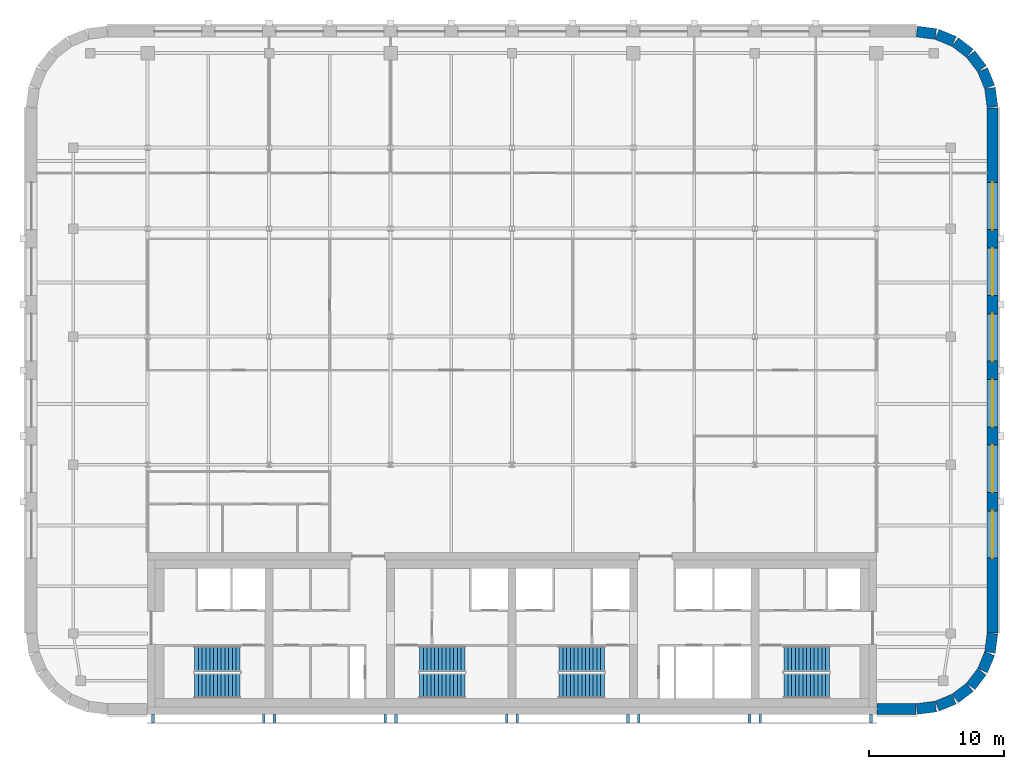
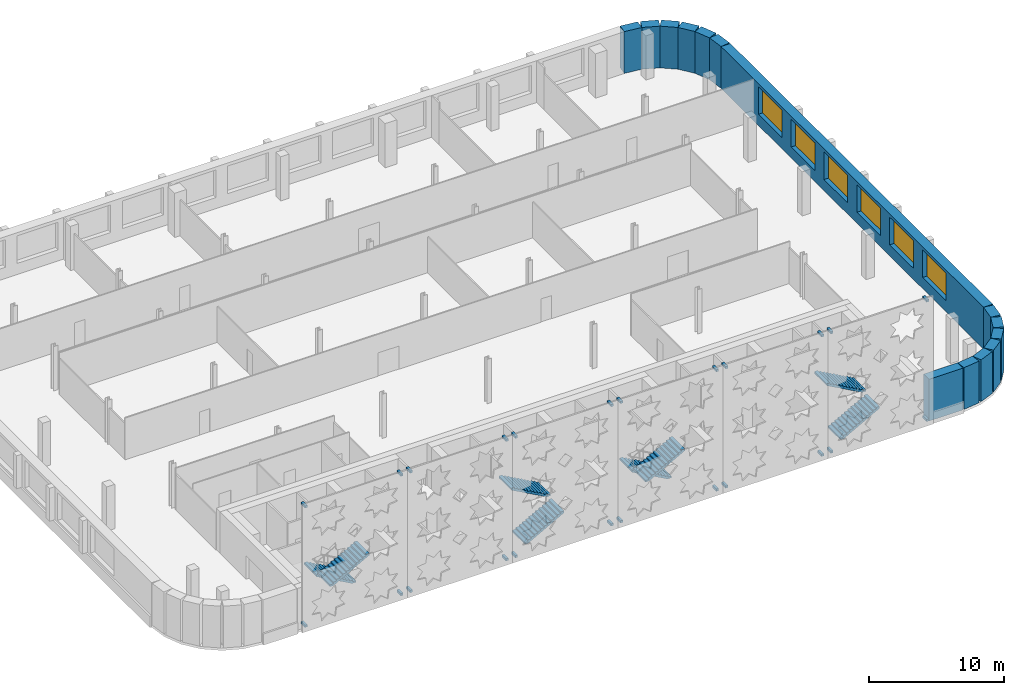
# One storey, part 11 of 15: 24 discrete accessories, 14 walls, 8 stair flights, 6 windows, 6 openings, 4 elements without a shape of their own.
"""IFC4 building model written with IfcOpenShell, lengths in metres."""

from ifc_helpers import new_model, si_unit, direction, frame, frame_2d, origin, origin_2d, place, context, subcontext, project, spatial, polyline, rectangle, outline, extrude, material, layer, layer_set, type_object, element, fill, aggregate, save


model = new_model("IFC4")

# Units and contexts
model_context = context("Model", 3, precision=1e-05, world=origin(), true_north=direction((0.0, 1.0)))
body_context = subcontext(model_context, "Body", "Model", "MODEL_VIEW")
ifc_project = project(units=[si_unit("LENGTHUNIT", "METRE"), si_unit("AREAUNIT", "SQUARE_METRE"), si_unit("VOLUMEUNIT", "CUBIC_METRE"), si_unit("PLANEANGLEUNIT", "RADIAN"), si_unit("MASSUNIT", "GRAM", prefix="KILO")], contexts=[model_context])

# Site, building, storey
site_placement = place(None, origin())
site = spatial("IfcSite", under=ifc_project, at=site_placement, CompositionType="ELEMENT")
building_placement = place(site_placement, origin())
building = spatial("IfcBuilding", under=site, at=building_placement, Name="Zellij Exchange Tower", CompositionType="ELEMENT")
storey_placement = place(building_placement, frame((0.0, 0.0, 276.5)))
storey = spatial("IfcBuildingStorey", under=building, at=storey_placement, Name="L65", CompositionType="ELEMENT", Elevation=276.5)

# Walls
ifc_material_1 = material(Name="Precast concrete C40/50", Category="concrete")
ifc_layer = layer(ifc_material_1, 0.800048828125)
ifc_layer_set = layer_set([ifc_layer], Name="Precast concrete C40/50")
wall_type = type_object("IfcWallType", Name="ENV-EW1 Precast stone-piered wall 800", PredefinedType="SOLIDWALL", material=ifc_layer_set)
wall_1_placement = place(storey_placement, frame((27.050048828125, -13.60009765625, 0.0), z_axis=(0.0, 0.0, 1.0), x_axis=(1.0, 0.0, 0.0)))
element("IfcWall", 1, at=wall_1_placement, inside=storey, type_object=wall_type, Name="fac.L65.00b", PredefinedType="SOLIDWALL", context=body_context, shape_type="SweptSolid", body=[
    extrude(rectangle(XDim=2.8974609375, YDim=0.800048828125, at=frame_2d((1.44873046875, 0.0))), origin(), (0.0, 0.0, 1.0), 3.780029296875),
])
wall_2_placement = place(storey_placement, frame((29.999755859375, -13.5966796875, 0.0), z_axis=(0.0, 0.0, 1.0), x_axis=(0.99144603414, 0.130517283865, 0.0)))
element("IfcWall", 2, at=wall_2_placement, inside=storey, type_object=wall_type, Name="fac.L65.01", PredefinedType="SOLIDWALL", context=body_context, shape_type="SweptSolid", body=[
    extrude(rectangle(XDim=1.408447265625, YDim=0.800048828125, at=frame_2d((0.7041015625, 0.0))), origin(), (0.0, 0.0, 1.0), 3.780029296875),
])
wall_3_placement = place(storey_placement, frame((31.497314453125, -13.3857421875, 0.0), z_axis=(0.0, 0.0, 1.0), x_axis=(0.923847774587, 0.38276009378, 0.0)))
element("IfcWall", 3, at=wall_3_placement, inside=storey, type_object=wall_type, Name="fac.L65.02", PredefinedType="SOLIDWALL", context=body_context, shape_type="SweptSolid", body=[
    extrude(rectangle(XDim=1.35546875, YDim=0.800048828125, at=frame_2d((0.677734375, 0.0))), origin(), (0.0, 0.0, 1.0), 3.780029296875),
])
for number, where, z_axis, x_axis, name in (
    (4, (32.840087890625, -12.814697265625, 0.0), (0.0, 0.0, 1.0), (0.793272915452, 0.608866226366, 0.0), "fac.L65.03"),
    (5, (33.9892578125, -11.91552734375, 0.0), (0.0, 0.0, 1.0), (0.608866226366, 0.793272915452, 0.0), "fac.L65.04"),
):
    element("IfcWall", number, at=place(storey_placement, frame(where, z_axis=z_axis, x_axis=x_axis)), inside=storey, type_object=wall_type, Name=name, PredefinedType="SOLIDWALL", context=body_context, shape_type="SweptSolid", body=[
        extrude(rectangle(XDim=1.355712890625, YDim=0.800048828125, at=frame_2d((0.677734375, 0.0))), origin(), (0.0, 0.0, 1.0), 3.780029296875),
    ])
wall_4_placement = place(storey_placement, frame((34.866943359375, -10.74951171875, 0.0), z_axis=(0.0, 0.0, 1.0), x_axis=(0.38276009378, 0.923847774587, 0.0)))
element("IfcWall", 6, at=wall_4_placement, inside=storey, type_object=wall_type, Name="fac.L65.05", PredefinedType="SOLIDWALL", context=body_context, shape_type="SweptSolid", body=[
    extrude(rectangle(XDim=1.35546875, YDim=0.800048828125, at=frame_2d((0.677734375, 0.0))), origin(), (0.0, 0.0, 1.0), 3.780029296875),
])
wall_5_placement = place(storey_placement, frame((35.412841796875, -9.396240234375, 0.0), z_axis=(0.0, 0.0, 1.0), x_axis=(0.130517283865, 0.99144603414, 0.0)))
element("IfcWall", 7, at=wall_5_placement, inside=storey, type_object=wall_type, Name="fac.L65.06", PredefinedType="SOLIDWALL", context=body_context, shape_type="SweptSolid", body=[
    extrude(rectangle(XDim=1.408447265625, YDim=0.800048828125, at=frame_2d((0.7041015625, 0.0))), origin(), (0.0, 0.0, 1.0), 3.780029296875),
])

# Wall, openings, windows
wall_6_placement = place(storey_placement, frame((35.60009765625, -7.947509765625, 0.0), z_axis=(0.0, 0.0, 1.0), x_axis=(0.0, 1.0, 0.0)))
wall_6 = element("IfcWall", 8, at=wall_6_placement, inside=storey, type_object=wall_type, Name="fac.L65.07", PredefinedType="SOLIDWALL", context=body_context, shape_type="SweptSolid", body=[
    extrude(rectangle(XDim=38.89501953125, YDim=0.800048828125, at=frame_2d((19.447509765625, 0.0))), origin(), (0.0, 0.0, 1.0), 3.780029296875),
])
opening_1_placement = place(wall_6_placement, frame((5.5263671875, 0.0, 1.0)))
opening_1 = element("IfcOpeningElement", 9, at=opening_1_placement, cuts=wall_6, Name="Opening FC1.01", PredefinedType="OPENING", context=body_context, shape_type="SweptSolid", body=[
    extrude(rectangle(XDim=3.5, YDim=2.5, at=frame_2d((1.75, 1.25))), frame((0.0, 0.412109375, 0.0), z_axis=(0.0, -1.0, 0.0), x_axis=(1.0, 0.0, 0.0)), (0.0, 0.0, 1.0), 0.823974609375),
])
opening_2_placement = place(wall_6_placement, frame((10.39501953125, 0.0, 1.0)))
opening_2 = element("IfcOpeningElement", 10, at=opening_2_placement, cuts=wall_6, Name="Opening FC1.02", PredefinedType="OPENING", context=body_context, shape_type="SweptSolid", body=[
    extrude(rectangle(XDim=3.5, YDim=2.5, at=frame_2d((1.75, 1.25))), frame((0.0, 0.412109375, 0.0), z_axis=(0.0, -1.0, 0.0), x_axis=(1.0, 0.0, 0.0)), (0.0, 0.0, 1.0), 0.823974609375),
])
opening_3_placement = place(wall_6_placement, frame((15.26318359375, 0.0, 1.0)))
opening_3 = element("IfcOpeningElement", 11, at=opening_3_placement, cuts=wall_6, Name="Opening FC1.03", PredefinedType="OPENING", context=body_context, shape_type="SweptSolid", body=[
    extrude(rectangle(XDim=3.5, YDim=2.5, at=frame_2d((1.75, 1.25))), frame((0.0, 0.412109375, 0.0), z_axis=(0.0, -1.0, 0.0), x_axis=(1.0, 0.0, 0.0)), (0.0, 0.0, 1.0), 0.823974609375),
])
opening_4_placement = place(wall_6_placement, frame((20.1318359375, 0.0, 1.0)))
opening_4 = element("IfcOpeningElement", 12, at=opening_4_placement, cuts=wall_6, Name="Opening FC1.04", PredefinedType="OPENING", context=body_context, shape_type="SweptSolid", body=[
    extrude(rectangle(XDim=3.5, YDim=2.5, at=frame_2d((1.75, 1.25))), frame((0.0, 0.412109375, 0.0), z_axis=(0.0, -1.0, 0.0), x_axis=(1.0, 0.0, 0.0)), (0.0, 0.0, 1.0), 0.823974609375),
])
opening_5_placement = place(wall_6_placement, frame((25.000244140625, 0.0, 1.0)))
opening_5 = element("IfcOpeningElement", 13, at=opening_5_placement, cuts=wall_6, Name="Opening FC1.05", PredefinedType="OPENING", context=body_context, shape_type="SweptSolid", body=[
    extrude(rectangle(XDim=3.5, YDim=2.5, at=frame_2d((1.75, 1.25))), frame((0.0, 0.412109375, 0.0), z_axis=(0.0, -1.0, 0.0), x_axis=(1.0, 0.0, 0.0)), (0.0, 0.0, 1.0), 0.823974609375),
])
opening_6_placement = place(wall_6_placement, frame((29.86865234375, 0.0, 1.0)))
opening_6 = element("IfcOpeningElement", 14, at=opening_6_placement, cuts=wall_6, Name="Opening FC1.06", PredefinedType="OPENING", context=body_context, shape_type="SweptSolid", body=[
    extrude(rectangle(XDim=3.5, YDim=2.5, at=frame_2d((1.75, 1.25))), frame((0.0, 0.412109375, 0.0), z_axis=(0.0, -1.0, 0.0), x_axis=(1.0, 0.0, 0.0)), (0.0, 0.0, 1.0), 0.823974609375),
])
ifc_material_2 = material(Name="Aluminium frame with insulating glass", Category="aluminium")
window_type = type_object("IfcWindowType", Name="ENV-W1 Window 3500x2500", PartitioningType="SINGLE_PANEL", PredefinedType="WINDOW", material=ifc_material_2)
window_1_placement = place(opening_1_placement, origin())
window_1 = element("IfcWindow", 15, at=window_1_placement, inside=storey, type_object=window_type, Name="Window FC1.01", OverallHeight=2.5, OverallWidth=3.5, PartitioningType="SINGLE_PANEL", PredefinedType="WINDOW", context=body_context, shape_type="SweptSolid", body=[
    extrude(rectangle(XDim=3.5, YDim=2.5, at=frame_2d((1.75, 1.25))), frame((0.0, 0.030029296875, 0.0), z_axis=(0.0, -1.0, 0.0), x_axis=(1.0, 0.0, 0.0)), (0.0, 0.0, 1.0), 0.06005859375),
])
fill(opening_1, window_1)
window_2_placement = place(opening_2_placement, origin())
window_2 = element("IfcWindow", 16, at=window_2_placement, inside=storey, type_object=window_type, Name="Window FC1.02", OverallHeight=2.5, OverallWidth=3.5, PartitioningType="SINGLE_PANEL", PredefinedType="WINDOW", context=body_context, shape_type="SweptSolid", body=[
    extrude(rectangle(XDim=3.5, YDim=2.5, at=frame_2d((1.75, 1.25))), frame((0.0, 0.030029296875, 0.0), z_axis=(0.0, -1.0, 0.0), x_axis=(1.0, 0.0, 0.0)), (0.0, 0.0, 1.0), 0.06005859375),
])
fill(opening_2, window_2)
window_3_placement = place(opening_3_placement, origin())
window_3 = element("IfcWindow", 17, at=window_3_placement, inside=storey, type_object=window_type, Name="Window FC1.03", OverallHeight=2.5, OverallWidth=3.5, PartitioningType="SINGLE_PANEL", PredefinedType="WINDOW", context=body_context, shape_type="SweptSolid", body=[
    extrude(rectangle(XDim=3.5, YDim=2.5, at=frame_2d((1.75, 1.25))), frame((0.0, 0.030029296875, 0.0), z_axis=(0.0, -1.0, 0.0), x_axis=(1.0, 0.0, 0.0)), (0.0, 0.0, 1.0), 0.06005859375),
])
fill(opening_3, window_3)
window_4_placement = place(opening_4_placement, origin())
window_4 = element("IfcWindow", 18, at=window_4_placement, inside=storey, type_object=window_type, Name="Window FC1.04", OverallHeight=2.5, OverallWidth=3.5, PartitioningType="SINGLE_PANEL", PredefinedType="WINDOW", context=body_context, shape_type="SweptSolid", body=[
    extrude(rectangle(XDim=3.5, YDim=2.5, at=frame_2d((1.75, 1.25))), frame((0.0, 0.030029296875, 0.0), z_axis=(0.0, -1.0, 0.0), x_axis=(1.0, 0.0, 0.0)), (0.0, 0.0, 1.0), 0.06005859375),
])
fill(opening_4, window_4)
window_5_placement = place(opening_5_placement, origin())
window_5 = element("IfcWindow", 19, at=window_5_placement, inside=storey, type_object=window_type, Name="Window FC1.05", OverallHeight=2.5, OverallWidth=3.5, PartitioningType="SINGLE_PANEL", PredefinedType="WINDOW", context=body_context, shape_type="SweptSolid", body=[
    extrude(rectangle(XDim=3.5, YDim=2.5, at=frame_2d((1.75, 1.25))), frame((0.0, 0.030029296875, 0.0), z_axis=(0.0, -1.0, 0.0), x_axis=(1.0, 0.0, 0.0)), (0.0, 0.0, 1.0), 0.06005859375),
])
fill(opening_5, window_5)
window_6_placement = place(opening_6_placement, origin())
window_6 = element("IfcWindow", 20, at=window_6_placement, inside=storey, type_object=window_type, Name="Window FC1.06", OverallHeight=2.5, OverallWidth=3.5, PartitioningType="SINGLE_PANEL", PredefinedType="WINDOW", context=body_context, shape_type="SweptSolid", body=[
    extrude(rectangle(XDim=3.5, YDim=2.5, at=frame_2d((1.75, 1.25))), frame((0.0, 0.030029296875, 0.0), z_axis=(0.0, -1.0, 0.0), x_axis=(1.0, 0.0, 0.0)), (0.0, 0.0, 1.0), 0.06005859375),
])
fill(opening_6, window_6)

# Walls
wall_7_placement = place(storey_placement, frame((35.5966796875, 30.999755859375, 0.0), z_axis=(0.0, 0.0, 1.0), x_axis=(-0.130517283865, 0.99144603414, 0.0)))
element("IfcWall", 21, at=wall_7_placement, inside=storey, type_object=wall_type, Name="fac.L65.08", PredefinedType="SOLIDWALL", context=body_context, shape_type="SweptSolid", body=[
    extrude(rectangle(XDim=1.408447265625, YDim=0.800048828125, at=frame_2d((0.7041015625, 0.0))), origin(), (0.0, 0.0, 1.0), 3.780029296875),
])
wall_8_placement = place(storey_placement, frame((35.3857421875, 32.497314453125, 0.0), z_axis=(0.0, 0.0, 1.0), x_axis=(-0.38276009378, 0.923847774587, 0.0)))
element("IfcWall", 22, at=wall_8_placement, inside=storey, type_object=wall_type, Name="fac.L65.09", PredefinedType="SOLIDWALL", context=body_context, shape_type="SweptSolid", body=[
    extrude(rectangle(XDim=1.35546875, YDim=0.800048828125, at=frame_2d((0.677734375, 0.0))), origin(), (0.0, 0.0, 1.0), 3.780029296875),
])
for number, where, z_axis, x_axis, name in (
    (23, (34.814697265625, 33.840087890625, 0.0), (0.0, 0.0, 1.0), (-0.608866226366, 0.793272915452, 0.0), "fac.L65.10"),
    (24, (33.91552734375, 34.9892578125, 0.0), (0.0, 0.0, 1.0), (-0.793272915452, 0.608866226366, 0.0), "fac.L65.11"),
):
    element("IfcWall", number, at=place(storey_placement, frame(where, z_axis=z_axis, x_axis=x_axis)), inside=storey, type_object=wall_type, Name=name, PredefinedType="SOLIDWALL", context=body_context, shape_type="SweptSolid", body=[
        extrude(rectangle(XDim=1.355712890625, YDim=0.800048828125, at=frame_2d((0.677734375, 0.0))), origin(), (0.0, 0.0, 1.0), 3.780029296875),
    ])
wall_9_placement = place(storey_placement, frame((32.74951171875, 35.866943359375, 0.0), z_axis=(0.0, 0.0, 1.0), x_axis=(-0.923847774587, 0.38276009378, 0.0)))
element("IfcWall", 25, at=wall_9_placement, inside=storey, type_object=wall_type, Name="fac.L65.12", PredefinedType="SOLIDWALL", context=body_context, shape_type="SweptSolid", body=[
    extrude(rectangle(XDim=1.35546875, YDim=0.800048828125, at=frame_2d((0.677734375, 0.0))), origin(), (0.0, 0.0, 1.0), 3.780029296875),
])
wall_10_placement = place(storey_placement, frame((31.396240234375, 36.412841796875, 0.0), z_axis=(0.0, 0.0, 1.0), x_axis=(-0.99144603414, 0.130517283865, 0.0)))
element("IfcWall", 26, at=wall_10_placement, inside=storey, type_object=wall_type, Name="fac.L65.13", PredefinedType="SOLIDWALL", context=body_context, shape_type="SweptSolid", body=[
    extrude(rectangle(XDim=1.408447265625, YDim=0.800048828125, at=frame_2d((0.7041015625, 0.0))), origin(), (0.0, 0.0, 1.0), 3.780029296875),
])

# Stair, stair flights
ifc_material_3 = material(Name="Concrete C40/50", Category="concrete")
stair_type = type_object("IfcStairType", Name="CORE-ST exit stair 1850 wide", PredefinedType="HALF_TURN_STAIR", material=ifc_material_3)
stair_1_placement = place(storey_placement, origin())
stair_1 = element("IfcStair", 27, at=stair_1_placement, inside=storey, type_object=stair_type, Name="L65 exit stair ST1", PredefinedType="HALF_TURN_STAIR")
stair_flight_type = type_object("IfcStairFlightType", Name="CORE-SF flight 1850 riser 153.8 going 280", PredefinedType="STRAIGHT", material=ifc_material_3)
stair_flight_1_placement = place(storey_placement, frame((-20.14990234375, -9.875, 0.0), z_axis=(0.0, 0.0, 1.0), x_axis=(-1.0, 0.0, 0.0)))
stair_flight_1 = element("IfcStairFlight", 28, at=stair_flight_1_placement, type_object=stair_flight_type, Name="ST1 flight 1", NumberOfRisers=13, NumberOfTreads=12, PredefinedType="STRAIGHT", RiserHeight=0.153846154, TreadLength=0.28, context=body_context, shape_type="SweptSolid", body=[
    extrude(outline(polyline([(0.0, 0.0), (0.0, 0.15380859375), (0.280029296875, 0.15380859375), (0.280029296875, 0.3076171875), (0.56005859375, 0.3076171875), (0.56005859375, 0.46142578125), (0.840087890625, 0.46142578125), (0.840087890625, 0.615478515625), (1.1201171875, 0.615478515625), (1.1201171875, 0.769287109375), (1.39990234375, 0.769287109375), (1.39990234375, 0.923095703125), (1.679931640625, 0.923095703125), (1.679931640625, 1.076904296875), (1.9599609375, 1.076904296875), (1.9599609375, 1.230712890625), (2.239990234375, 1.230712890625), (2.239990234375, 1.384521484375), (2.52001953125, 1.384521484375), (2.52001953125, 1.53857421875), (2.800048828125, 1.53857421875), (2.800048828125, 1.6923828125), (3.080078125, 1.6923828125), (3.080078125, 1.84619140625), (3.360107421875, 1.84619140625), (3.360107421875, 2.0), (3.360107421875, 1.675048828125), (0.311279296875, 0.0), (0.0, 0.0)])), frame((0.0, 0.925048828125, 0.0), z_axis=(0.0, -1.0, 0.0), x_axis=(1.0, 0.0, 0.0)), (0.0, 0.0, 1.0), 1.85009765625),
])
stair_flight_2_placement = place(storey_placement, frame((-23.510009765625, -11.875, 2.0), z_axis=(0.0, 0.0, 1.0), x_axis=(1.0, 0.0, 0.0)))
stair_flight_2 = element("IfcStairFlight", 29, at=stair_flight_2_placement, type_object=stair_flight_type, Name="ST1 flight 2", NumberOfRisers=13, NumberOfTreads=12, PredefinedType="STRAIGHT", RiserHeight=0.153846154, TreadLength=0.28, context=body_context, shape_type="SweptSolid", body=[
    extrude(outline(polyline([(0.0, 0.0), (0.0, 0.15380859375), (0.280029296875, 0.15380859375), (0.280029296875, 0.3076171875), (0.56005859375, 0.3076171875), (0.56005859375, 0.46142578125), (0.840087890625, 0.46142578125), (0.840087890625, 0.615478515625), (1.1201171875, 0.615478515625), (1.1201171875, 0.769287109375), (1.39990234375, 0.769287109375), (1.39990234375, 0.923095703125), (1.679931640625, 0.923095703125), (1.679931640625, 1.076904296875), (1.9599609375, 1.076904296875), (1.9599609375, 1.230712890625), (2.239990234375, 1.230712890625), (2.239990234375, 1.384521484375), (2.52001953125, 1.384521484375), (2.52001953125, 1.53857421875), (2.800048828125, 1.53857421875), (2.800048828125, 1.6923828125), (3.080078125, 1.6923828125), (3.080078125, 1.84619140625), (3.360107421875, 1.84619140625), (3.360107421875, 2.0), (3.360107421875, 1.675048828125), (0.311279296875, 0.0), (0.0, 0.0)])), frame((0.0, 0.925048828125, 0.0), z_axis=(0.0, -1.0, 0.0), x_axis=(1.0, 0.0, 0.0)), (0.0, 0.0, 1.0), 1.85009765625),
])
aggregate(stair_1, [stair_flight_1, stair_flight_2])

stair_2_placement = place(storey_placement, origin())
stair_2 = element("IfcStair", 30, at=stair_2_placement, inside=storey, type_object=stair_type, Name="L65 exit stair ST2", PredefinedType="HALF_TURN_STAIR")
stair_flight_3_placement = place(storey_placement, frame((-6.85009765625, -11.875, 0.0), z_axis=(0.0, 0.0, 1.0), x_axis=(1.0, 0.0, 0.0)))
stair_flight_3 = element("IfcStairFlight", 31, at=stair_flight_3_placement, type_object=stair_flight_type, Name="ST2 flight 1", NumberOfRisers=13, NumberOfTreads=12, PredefinedType="STRAIGHT", RiserHeight=0.153846154, TreadLength=0.28, context=body_context, shape_type="SweptSolid", body=[
    extrude(outline(polyline([(0.0, 0.0), (0.0, 0.15380859375), (0.280029296875, 0.15380859375), (0.280029296875, 0.3076171875), (0.56005859375, 0.3076171875), (0.56005859375, 0.46142578125), (0.840087890625, 0.46142578125), (0.840087890625, 0.615478515625), (1.1201171875, 0.615478515625), (1.1201171875, 0.769287109375), (1.39990234375, 0.769287109375), (1.39990234375, 0.923095703125), (1.679931640625, 0.923095703125), (1.679931640625, 1.076904296875), (1.9599609375, 1.076904296875), (1.9599609375, 1.230712890625), (2.239990234375, 1.230712890625), (2.239990234375, 1.384521484375), (2.52001953125, 1.384521484375), (2.52001953125, 1.53857421875), (2.800048828125, 1.53857421875), (2.800048828125, 1.6923828125), (3.080078125, 1.6923828125), (3.080078125, 1.84619140625), (3.360107421875, 1.84619140625), (3.360107421875, 2.0), (3.360107421875, 1.675048828125), (0.311279296875, 0.0), (0.0, 0.0)])), frame((0.0, 0.925048828125, 0.0), z_axis=(0.0, -1.0, 0.0), x_axis=(1.0, 0.0, 0.0)), (0.0, 0.0, 1.0), 1.85009765625),
])
stair_flight_4_placement = place(storey_placement, frame((-3.489990234375, -9.875, 2.0), z_axis=(0.0, 0.0, 1.0), x_axis=(-1.0, 0.0, 0.0)))
stair_flight_4 = element("IfcStairFlight", 32, at=stair_flight_4_placement, type_object=stair_flight_type, Name="ST2 flight 2", NumberOfRisers=13, NumberOfTreads=12, PredefinedType="STRAIGHT", RiserHeight=0.153846154, TreadLength=0.28, context=body_context, shape_type="SweptSolid", body=[
    extrude(outline(polyline([(0.0, 0.0), (0.0, 0.15380859375), (0.280029296875, 0.15380859375), (0.280029296875, 0.3076171875), (0.56005859375, 0.3076171875), (0.56005859375, 0.46142578125), (0.840087890625, 0.46142578125), (0.840087890625, 0.615478515625), (1.1201171875, 0.615478515625), (1.1201171875, 0.769287109375), (1.39990234375, 0.769287109375), (1.39990234375, 0.923095703125), (1.679931640625, 0.923095703125), (1.679931640625, 1.076904296875), (1.9599609375, 1.076904296875), (1.9599609375, 1.230712890625), (2.239990234375, 1.230712890625), (2.239990234375, 1.384521484375), (2.52001953125, 1.384521484375), (2.52001953125, 1.53857421875), (2.800048828125, 1.53857421875), (2.800048828125, 1.6923828125), (3.080078125, 1.6923828125), (3.080078125, 1.84619140625), (3.360107421875, 1.84619140625), (3.360107421875, 2.0), (3.360107421875, 1.675048828125), (0.311279296875, 0.0), (0.0, 0.0)])), frame((0.0, 0.925048828125, 0.0), z_axis=(0.0, -1.0, 0.0), x_axis=(1.0, 0.0, 0.0)), (0.0, 0.0, 1.0), 1.85009765625),
])
aggregate(stair_2, [stair_flight_3, stair_flight_4])

stair_3_placement = place(storey_placement, origin())
stair_3 = element("IfcStair", 33, at=stair_3_placement, inside=storey, type_object=stair_type, Name="L65 exit stair ST3", PredefinedType="HALF_TURN_STAIR")
stair_flight_5_placement = place(storey_placement, frame((6.85009765625, -9.875, 0.0), z_axis=(0.0, 0.0, 1.0), x_axis=(-1.0, 0.0, 0.0)))
stair_flight_5 = element("IfcStairFlight", 34, at=stair_flight_5_placement, type_object=stair_flight_type, Name="ST3 flight 1", NumberOfRisers=13, NumberOfTreads=12, PredefinedType="STRAIGHT", RiserHeight=0.153846154, TreadLength=0.28, context=body_context, shape_type="SweptSolid", body=[
    extrude(outline(polyline([(0.0, 0.0), (0.0, 0.15380859375), (0.280029296875, 0.15380859375), (0.280029296875, 0.3076171875), (0.56005859375, 0.3076171875), (0.56005859375, 0.46142578125), (0.840087890625, 0.46142578125), (0.840087890625, 0.615478515625), (1.1201171875, 0.615478515625), (1.1201171875, 0.769287109375), (1.39990234375, 0.769287109375), (1.39990234375, 0.923095703125), (1.679931640625, 0.923095703125), (1.679931640625, 1.076904296875), (1.9599609375, 1.076904296875), (1.9599609375, 1.230712890625), (2.239990234375, 1.230712890625), (2.239990234375, 1.384521484375), (2.52001953125, 1.384521484375), (2.52001953125, 1.53857421875), (2.800048828125, 1.53857421875), (2.800048828125, 1.6923828125), (3.080078125, 1.6923828125), (3.080078125, 1.84619140625), (3.360107421875, 1.84619140625), (3.360107421875, 2.0), (3.360107421875, 1.675048828125), (0.311279296875, 0.0), (0.0, 0.0)])), frame((0.0, 0.925048828125, 0.0), z_axis=(0.0, -1.0, 0.0), x_axis=(1.0, 0.0, 0.0)), (0.0, 0.0, 1.0), 1.85009765625),
])
stair_flight_6_placement = place(storey_placement, frame((3.489990234375, -11.875, 2.0), z_axis=(0.0, 0.0, 1.0), x_axis=(1.0, 0.0, 0.0)))
stair_flight_6 = element("IfcStairFlight", 35, at=stair_flight_6_placement, type_object=stair_flight_type, Name="ST3 flight 2", NumberOfRisers=13, NumberOfTreads=12, PredefinedType="STRAIGHT", RiserHeight=0.153846154, TreadLength=0.28, context=body_context, shape_type="SweptSolid", body=[
    extrude(outline(polyline([(0.0, 0.0), (0.0, 0.15380859375), (0.280029296875, 0.15380859375), (0.280029296875, 0.3076171875), (0.56005859375, 0.3076171875), (0.56005859375, 0.46142578125), (0.840087890625, 0.46142578125), (0.840087890625, 0.615478515625), (1.1201171875, 0.615478515625), (1.1201171875, 0.769287109375), (1.39990234375, 0.769287109375), (1.39990234375, 0.923095703125), (1.679931640625, 0.923095703125), (1.679931640625, 1.076904296875), (1.9599609375, 1.076904296875), (1.9599609375, 1.230712890625), (2.239990234375, 1.230712890625), (2.239990234375, 1.384521484375), (2.52001953125, 1.384521484375), (2.52001953125, 1.53857421875), (2.800048828125, 1.53857421875), (2.800048828125, 1.6923828125), (3.080078125, 1.6923828125), (3.080078125, 1.84619140625), (3.360107421875, 1.84619140625), (3.360107421875, 2.0), (3.360107421875, 1.675048828125), (0.311279296875, 0.0), (0.0, 0.0)])), frame((0.0, 0.925048828125, 0.0), z_axis=(0.0, -1.0, 0.0), x_axis=(1.0, 0.0, 0.0)), (0.0, 0.0, 1.0), 1.85009765625),
])
aggregate(stair_3, [stair_flight_5, stair_flight_6])

stair_4_placement = place(storey_placement, origin())
stair_4 = element("IfcStair", 36, at=stair_4_placement, inside=storey, type_object=stair_type, Name="L65 exit stair ST4", PredefinedType="HALF_TURN_STAIR")
stair_flight_7_placement = place(storey_placement, frame((20.14990234375, -11.875, 0.0), z_axis=(0.0, 0.0, 1.0), x_axis=(1.0, 0.0, 0.0)))
stair_flight_7 = element("IfcStairFlight", 37, at=stair_flight_7_placement, type_object=stair_flight_type, Name="ST4 flight 1", NumberOfRisers=13, NumberOfTreads=12, PredefinedType="STRAIGHT", RiserHeight=0.153846154, TreadLength=0.28, context=body_context, shape_type="SweptSolid", body=[
    extrude(outline(polyline([(0.0, 0.0), (0.0, 0.15380859375), (0.280029296875, 0.15380859375), (0.280029296875, 0.3076171875), (0.56005859375, 0.3076171875), (0.56005859375, 0.46142578125), (0.840087890625, 0.46142578125), (0.840087890625, 0.615478515625), (1.1201171875, 0.615478515625), (1.1201171875, 0.769287109375), (1.39990234375, 0.769287109375), (1.39990234375, 0.923095703125), (1.679931640625, 0.923095703125), (1.679931640625, 1.076904296875), (1.9599609375, 1.076904296875), (1.9599609375, 1.230712890625), (2.239990234375, 1.230712890625), (2.239990234375, 1.384521484375), (2.52001953125, 1.384521484375), (2.52001953125, 1.53857421875), (2.800048828125, 1.53857421875), (2.800048828125, 1.6923828125), (3.080078125, 1.6923828125), (3.080078125, 1.84619140625), (3.360107421875, 1.84619140625), (3.360107421875, 2.0), (3.360107421875, 1.675048828125), (0.311279296875, 0.0), (0.0, 0.0)])), frame((0.0, 0.925048828125, 0.0), z_axis=(0.0, -1.0, 0.0), x_axis=(1.0, 0.0, 0.0)), (0.0, 0.0, 1.0), 1.85009765625),
])
stair_flight_8_placement = place(storey_placement, frame((23.510009765625, -9.875, 2.0), z_axis=(0.0, 0.0, 1.0), x_axis=(-1.0, 0.0, 0.0)))
stair_flight_8 = element("IfcStairFlight", 38, at=stair_flight_8_placement, type_object=stair_flight_type, Name="ST4 flight 2", NumberOfRisers=13, NumberOfTreads=12, PredefinedType="STRAIGHT", RiserHeight=0.153846154, TreadLength=0.28, context=body_context, shape_type="SweptSolid", body=[
    extrude(outline(polyline([(0.0, 0.0), (0.0, 0.15380859375), (0.280029296875, 0.15380859375), (0.280029296875, 0.3076171875), (0.56005859375, 0.3076171875), (0.56005859375, 0.46142578125), (0.840087890625, 0.46142578125), (0.840087890625, 0.615478515625), (1.1201171875, 0.615478515625), (1.1201171875, 0.769287109375), (1.39990234375, 0.769287109375), (1.39990234375, 0.923095703125), (1.679931640625, 0.923095703125), (1.679931640625, 1.076904296875), (1.9599609375, 1.076904296875), (1.9599609375, 1.230712890625), (2.239990234375, 1.230712890625), (2.239990234375, 1.384521484375), (2.52001953125, 1.384521484375), (2.52001953125, 1.53857421875), (2.800048828125, 1.53857421875), (2.800048828125, 1.6923828125), (3.080078125, 1.6923828125), (3.080078125, 1.84619140625), (3.360107421875, 1.84619140625), (3.360107421875, 2.0), (3.360107421875, 1.675048828125), (0.311279296875, 0.0), (0.0, 0.0)])), frame((0.0, 0.925048828125, 0.0), z_axis=(0.0, -1.0, 0.0), x_axis=(1.0, 0.0, 0.0)), (0.0, 0.0, 1.0), 1.85009765625),
])
aggregate(stair_4, [stair_flight_7, stair_flight_8])

# Discrete accessories
ifc_material_4 = material(Name="Stainless steel", Category="steel")
discrete_accessory_type = type_object("IfcDiscreteAccessoryType", Name="ENV-BR1 Stone panel bracket 200", PredefinedType="USERDEFINED", material=ifc_material_4)
for number, where, z_axis, x_axis, name in (
    (39, (-26.60009765625, -14.300048828125, 0.5), (0.0, 0.0, 1.0), (1.0, 0.0, 0.0), "Panel bracket"),
    (40, (-26.60009765625, -14.300048828125, 11.2998046875), (0.0, 0.0, 1.0), (1.0, 0.0, 0.0), "Panel bracket"),
    (41, (-18.39990234375, -14.300048828125, 0.5), (0.0, 0.0, 1.0), (1.0, 0.0, 0.0), "Panel bracket"),
    (42, (-18.39990234375, -14.300048828125, 11.2998046875), (0.0, 0.0, 1.0), (1.0, 0.0, 0.0), "Panel bracket"),
    (43, (-17.60009765625, -14.300048828125, 0.5), (0.0, 0.0, 1.0), (1.0, 0.0, 0.0), "Panel bracket"),
    (44, (-17.60009765625, -14.300048828125, 11.2998046875), (0.0, 0.0, 1.0), (1.0, 0.0, 0.0), "Panel bracket"),
    (45, (-9.39990234375, -14.300048828125, 0.5), (0.0, 0.0, 1.0), (1.0, 0.0, 0.0), "Panel bracket"),
    (46, (-9.39990234375, -14.300048828125, 11.2998046875), (0.0, 0.0, 1.0), (1.0, 0.0, 0.0), "Panel bracket"),
    (47, (-8.60009765625, -14.300048828125, 0.5), (0.0, 0.0, 1.0), (1.0, 0.0, 0.0), "Panel bracket"),
    (48, (-8.60009765625, -14.300048828125, 11.2998046875), (0.0, 0.0, 1.0), (1.0, 0.0, 0.0), "Panel bracket"),
    (49, (-0.39990234375, -14.300048828125, 0.5), (0.0, 0.0, 1.0), (1.0, 0.0, 0.0), "Panel bracket"),
    (50, (-0.39990234375, -14.300048828125, 11.2998046875), (0.0, 0.0, 1.0), (1.0, 0.0, 0.0), "Panel bracket"),
    (51, (0.39990234375, -14.300048828125, 0.5), (0.0, 0.0, 1.0), (1.0, 0.0, 0.0), "Panel bracket"),
    (52, (0.39990234375, -14.300048828125, 11.2998046875), (0.0, 0.0, 1.0), (1.0, 0.0, 0.0), "Panel bracket"),
    (53, (8.60009765625, -14.300048828125, 0.5), (0.0, 0.0, 1.0), (1.0, 0.0, 0.0), "Panel bracket"),
    (54, (8.60009765625, -14.300048828125, 11.2998046875), (0.0, 0.0, 1.0), (1.0, 0.0, 0.0), "Panel bracket"),
    (55, (9.39990234375, -14.300048828125, 0.5), (0.0, 0.0, 1.0), (1.0, 0.0, 0.0), "Panel bracket"),
    (56, (9.39990234375, -14.300048828125, 11.2998046875), (0.0, 0.0, 1.0), (1.0, 0.0, 0.0), "Panel bracket"),
    (57, (17.60009765625, -14.300048828125, 0.5), (0.0, 0.0, 1.0), (1.0, 0.0, 0.0), "Panel bracket"),
    (58, (17.60009765625, -14.300048828125, 11.2998046875), (0.0, 0.0, 1.0), (1.0, 0.0, 0.0), "Panel bracket"),
    (59, (18.39990234375, -14.300048828125, 0.5), (0.0, 0.0, 1.0), (1.0, 0.0, 0.0), "Panel bracket"),
    (60, (18.39990234375, -14.300048828125, 11.2998046875), (0.0, 0.0, 1.0), (1.0, 0.0, 0.0), "Panel bracket"),
    (61, (26.60009765625, -14.300048828125, 0.5), (0.0, 0.0, 1.0), (1.0, 0.0, 0.0), "Panel bracket"),
    (62, (26.60009765625, -14.300048828125, 11.2998046875), (0.0, 0.0, 1.0), (1.0, 0.0, 0.0), "Panel bracket"),
):
    element("IfcDiscreteAccessory", number, at=place(storey_placement, frame(where, z_axis=z_axis, x_axis=x_axis)), inside=storey, type_object=discrete_accessory_type, Name=name, ObjectType="BRACKET", PredefinedType="USERDEFINED", context=body_context, shape_type="SweptSolid", body=[
        extrude(rectangle(XDim=0.199951171875, YDim=0.60009765625, at=origin_2d()), origin(), (0.0, 0.0, 1.0), 0.199951171875),
    ])

save(model, "model.ifc")
